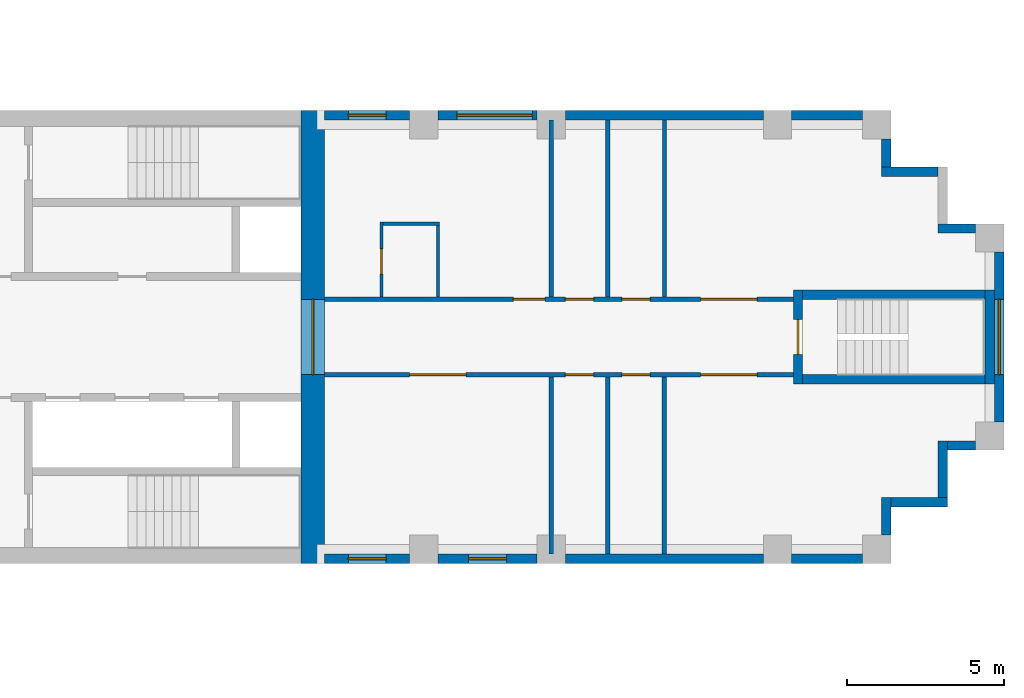
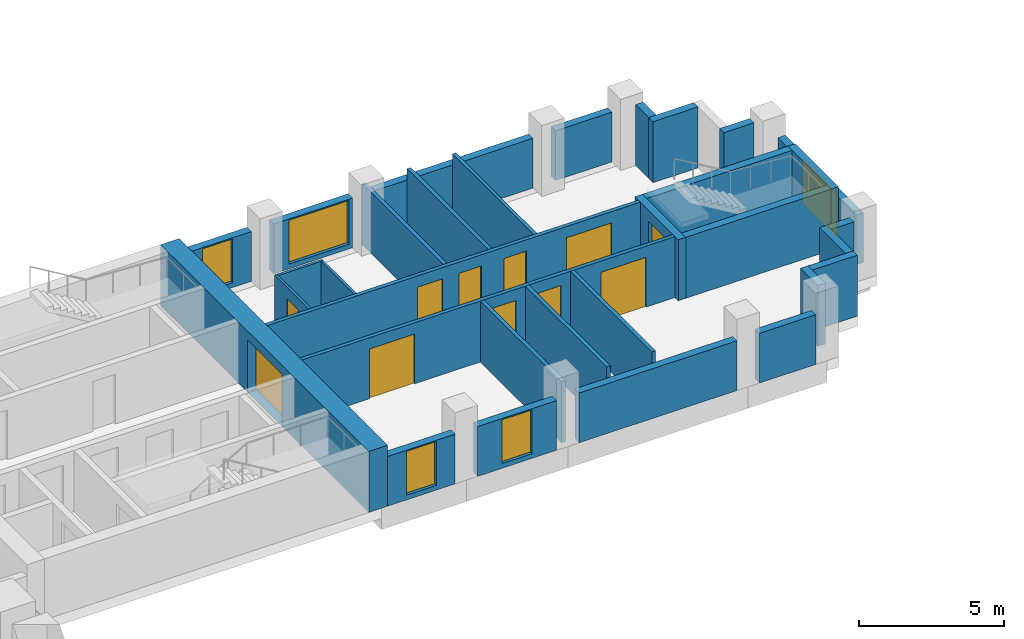
# One storey, part 9 of 15: 32 walls, 11 doors, 5 windows, 16 openings.
"""IFC4 building model written with IfcOpenShell, lengths in metres."""

from ifc_helpers import new_model, si_unit, direction, frame, frame_2d, origin, place, context, subcontext, project, spatial, rectangle, extrude, material, layer, layer_set, type_object, element, fill, save


model = new_model("IFC4")

# Units and contexts
model_context = context("Model", 3, precision=1e-05, world=origin(), true_north=direction((0.0, 1.0)))
body_context = subcontext(model_context, "Body", "Model", "MODEL_VIEW")
ifc_project = project(units=[si_unit("LENGTHUNIT", "METRE"), si_unit("AREAUNIT", "SQUARE_METRE"), si_unit("VOLUMEUNIT", "CUBIC_METRE"), si_unit("PLANEANGLEUNIT", "RADIAN"), si_unit("MASSUNIT", "GRAM", prefix="KILO")], contexts=[model_context])

# Site, building, storey
site_placement = place(None, origin())
site = spatial("IfcSite", under=ifc_project, at=site_placement, CompositionType="ELEMENT")
building_placement = place(site_placement, origin())
building = spatial("IfcBuilding", under=site, at=building_placement, Name="Fustian Cross Tower", CompositionType="ELEMENT")
storey_placement = place(building_placement, frame((0.0, 0.0, 11.699951171875)))
storey = spatial("IfcBuildingStorey", under=building, at=storey_placement, Name="L02", CompositionType="ELEMENT", Elevation=11.699951171875)

# Wall, openings, doors
ifc_material_1 = material(Name="Plasterboard on steel stud", Category="steel")
ifc_layer_1 = layer(ifc_material_1, 0.14990234375)
ifc_layer_set_1 = layer_set([ifc_layer_1], Name="Plasterboard on steel stud")
wall_type_1 = type_object("IfcWallType", Name="COMPARTMENT WALL 150 EI 60", PredefinedType="PARTITIONING", material=ifc_layer_set_1)
wall_1_placement = place(storey_placement, frame((21.60009765625, -1.199951171875, 0.0), z_axis=(0.0, 0.0, 1.0), x_axis=(1.0, 0.0, 0.0)))
wall_1 = element("IfcWall", 1, at=wall_1_placement, inside=storey, type_object=wall_type_1, Name="Partition 99", PredefinedType="PARTITIONING", context=body_context, shape_type="SweptSolid", body=[
    extrude(rectangle(XDim=14.89990234375, YDim=0.14990234375, at=frame_2d((7.449951171875, 0.0))), origin(), (0.0, 0.0, 1.0), 2.574951171875),
])
opening_1_placement = place(wall_1_placement, frame((2.699951171875, 0.0, 0.0)))
opening_1 = element("IfcOpeningElement", 2, at=opening_1_placement, cuts=wall_1, Name="Opening D04015", PredefinedType="OPENING", context=body_context, shape_type="SweptSolid", body=[
    extrude(rectangle(XDim=1.800048828125, YDim=2.10009765625, at=frame_2d((0.89990234375, 1.050048828125))), frame((0.0, 0.0849609375, 0.0), z_axis=(0.0, -1.0, 0.0), x_axis=(1.0, 0.0, 0.0)), (0.0, 0.0, 1.0), 0.169921875),
])
opening_2_placement = place(wall_1_placement, frame((7.64990234375, 0.0, 0.0)))
opening_2 = element("IfcOpeningElement", 3, at=opening_2_placement, cuts=wall_1, Name="Opening D04016", PredefinedType="OPENING", context=body_context, shape_type="SweptSolid", body=[
    extrude(rectangle(XDim=0.89990234375, YDim=2.10009765625, at=frame_2d((0.449951171875, 1.050048828125))), frame((0.0, 0.0849609375, 0.0), z_axis=(0.0, -1.0, 0.0), x_axis=(1.0, 0.0, 0.0)), (0.0, 0.0, 1.0), 0.169921875),
])
opening_3_placement = place(wall_1_placement, frame((9.449951171875, 0.0, 0.0)))
opening_3 = element("IfcOpeningElement", 4, at=opening_3_placement, cuts=wall_1, Name="Opening D04017", PredefinedType="OPENING", context=body_context, shape_type="SweptSolid", body=[
    extrude(rectangle(XDim=0.89990234375, YDim=2.10009765625, at=frame_2d((0.449951171875, 1.050048828125))), frame((0.0, 0.0849609375, 0.0), z_axis=(0.0, -1.0, 0.0), x_axis=(1.0, 0.0, 0.0)), (0.0, 0.0, 1.0), 0.169921875),
])
opening_4_placement = place(wall_1_placement, frame((11.949951171875, 0.0, 0.0)))
opening_4 = element("IfcOpeningElement", 5, at=opening_4_placement, cuts=wall_1, Name="Opening D04018", PredefinedType="OPENING", context=body_context, shape_type="SweptSolid", body=[
    extrude(rectangle(XDim=1.800048828125, YDim=2.10009765625, at=frame_2d((0.89990234375, 1.050048828125))), frame((0.0, 0.0849609375, 0.0), z_axis=(0.0, -1.0, 0.0), x_axis=(1.0, 0.0, 0.0)), (0.0, 0.0, 1.0), 0.169921875),
])
ifc_material_2 = material(Name="Timber fire door set", Category="wood")
door_type_1 = type_object("IfcDoorType", Name="FIRE DOUBLE DOOR 1800 FD30S", OperationType="DOUBLE_DOOR_DOUBLE_SWING", PredefinedType="DOOR", material=ifc_material_2)
door_1_placement = place(opening_1_placement, origin())
door_1 = element("IfcDoor", 6, at=door_1_placement, inside=storey, type_object=door_type_1, Name="Door D04015", OperationType="DOUBLE_DOOR_DOUBLE_SWING", OverallHeight=2.10009765625, OverallWidth=1.800048828125, PredefinedType="DOOR", context=body_context, shape_type="SweptSolid", body=[
    extrude(rectangle(XDim=1.800048828125, YDim=2.10009765625, at=frame_2d((0.89990234375, 1.050048828125))), frame((0.0, 0.02490234375, 0.0), z_axis=(0.0, -1.0, 0.0), x_axis=(1.0, 0.0, 0.0)), (0.0, 0.0, 1.0), 0.050048828125),
])
fill(opening_1, door_1)
door_2_placement = place(opening_4_placement, origin())
door_2 = element("IfcDoor", 7, at=door_2_placement, inside=storey, type_object=door_type_1, Name="Door D04018", OperationType="DOUBLE_DOOR_DOUBLE_SWING", OverallHeight=2.10009765625, OverallWidth=1.800048828125, PredefinedType="DOOR", context=body_context, shape_type="SweptSolid", body=[
    extrude(rectangle(XDim=1.800048828125, YDim=2.10009765625, at=frame_2d((0.89990234375, 1.050048828125))), frame((0.0, 0.02490234375, 0.0), z_axis=(0.0, -1.0, 0.0), x_axis=(1.0, 0.0, 0.0)), (0.0, 0.0, 1.0), 0.050048828125),
])
fill(opening_4, door_2)
ifc_material_3 = material(Name="Timber fire door set", Category="wood")
door_type_2 = type_object("IfcDoorType", Name="FIRE SWING DOOR 900 FD30S", OperationType="SINGLE_SWING_LEFT", PredefinedType="DOOR", material=ifc_material_3)
door_3_placement = place(opening_2_placement, frame((0.89990234375, 0.0, 0.0), z_axis=(0.0, 0.0, 1.0), x_axis=(-1.0, 0.0, 0.0)))
door_3 = element("IfcDoor", 8, at=door_3_placement, inside=storey, type_object=door_type_2, Name="Door D04016", OperationType="SINGLE_SWING_LEFT", OverallHeight=2.10009765625, OverallWidth=0.89990234375, PredefinedType="DOOR", context=body_context, shape_type="SweptSolid", body=[
    extrude(rectangle(XDim=0.89990234375, YDim=2.10009765625, at=frame_2d((0.449951171875, 1.050048828125))), frame((0.0, 0.02490234375, 0.0), z_axis=(0.0, -1.0, 0.0), x_axis=(1.0, 0.0, 0.0)), (0.0, 0.0, 1.0), 0.050048828125),
])
fill(opening_2, door_3)
door_4_placement = place(opening_3_placement, origin())
door_4 = element("IfcDoor", 9, at=door_4_placement, inside=storey, type_object=door_type_2, Name="Door D04017", OperationType="SINGLE_SWING_RIGHT", OverallHeight=2.10009765625, OverallWidth=0.89990234375, PredefinedType="DOOR", context=body_context, shape_type="SweptSolid", body=[
    extrude(rectangle(XDim=0.89990234375, YDim=2.10009765625, at=frame_2d((0.449951171875, 1.050048828125))), frame((0.0, 0.02490234375, 0.0), z_axis=(0.0, -1.0, 0.0), x_axis=(1.0, 0.0, 0.0)), (0.0, 0.0, 1.0), 0.050048828125),
])
fill(opening_3, door_4)

wall_2_placement = place(storey_placement, frame((21.60009765625, 1.199951171875, 0.0), z_axis=(0.0, 0.0, 1.0), x_axis=(1.0, 0.0, 0.0)))
wall_2 = element("IfcWall", 10, at=wall_2_placement, inside=storey, type_object=wall_type_1, Name="Partition 100", PredefinedType="PARTITIONING", context=body_context, shape_type="SweptSolid", body=[
    extrude(rectangle(XDim=14.89990234375, YDim=0.14990234375, at=frame_2d((7.449951171875, 0.0))), origin(), (0.0, 0.0, 1.0), 2.574951171875),
])
opening_5_placement = place(wall_2_placement, frame((6.0, 0.0, 0.0)))
opening_5 = element("IfcOpeningElement", 11, at=opening_5_placement, cuts=wall_2, Name="Opening D04011", PredefinedType="OPENING", context=body_context, shape_type="SweptSolid", body=[
    extrude(rectangle(XDim=1.0, YDim=2.10009765625, at=frame_2d((0.5, 1.050048828125))), frame((0.0, 0.0849609375, 0.0), z_axis=(0.0, -1.0, 0.0), x_axis=(1.0, 0.0, 0.0)), (0.0, 0.0, 1.0), 0.169921875),
])
opening_6_placement = place(wall_2_placement, frame((7.64990234375, 0.0, 0.0)))
opening_6 = element("IfcOpeningElement", 12, at=opening_6_placement, cuts=wall_2, Name="Opening D04012", PredefinedType="OPENING", context=body_context, shape_type="SweptSolid", body=[
    extrude(rectangle(XDim=0.89990234375, YDim=2.10009765625, at=frame_2d((0.449951171875, 1.050048828125))), frame((0.0, 0.0849609375, 0.0), z_axis=(0.0, -1.0, 0.0), x_axis=(1.0, 0.0, 0.0)), (0.0, 0.0, 1.0), 0.169921875),
])
opening_7_placement = place(wall_2_placement, frame((9.449951171875, 0.0, 0.0)))
opening_7 = element("IfcOpeningElement", 13, at=opening_7_placement, cuts=wall_2, Name="Opening D04013", PredefinedType="OPENING", context=body_context, shape_type="SweptSolid", body=[
    extrude(rectangle(XDim=0.89990234375, YDim=2.10009765625, at=frame_2d((0.449951171875, 1.050048828125))), frame((0.0, 0.0849609375, 0.0), z_axis=(0.0, -1.0, 0.0), x_axis=(1.0, 0.0, 0.0)), (0.0, 0.0, 1.0), 0.169921875),
])
opening_8_placement = place(wall_2_placement, frame((11.949951171875, 0.0, 0.0)))
opening_8 = element("IfcOpeningElement", 14, at=opening_8_placement, cuts=wall_2, Name="Opening D04014", PredefinedType="OPENING", context=body_context, shape_type="SweptSolid", body=[
    extrude(rectangle(XDim=1.800048828125, YDim=2.10009765625, at=frame_2d((0.89990234375, 1.050048828125))), frame((0.0, 0.0849609375, 0.0), z_axis=(0.0, -1.0, 0.0), x_axis=(1.0, 0.0, 0.0)), (0.0, 0.0, 1.0), 0.169921875),
])
door_5_placement = place(opening_8_placement, frame((1.800048828125, 0.0, 0.0), z_axis=(0.0, 0.0, 1.0), x_axis=(-1.0, 0.0, 0.0)))
door_5 = element("IfcDoor", 15, at=door_5_placement, inside=storey, type_object=door_type_1, Name="Door D04014", OperationType="DOUBLE_DOOR_DOUBLE_SWING", OverallHeight=2.10009765625, OverallWidth=1.800048828125, PredefinedType="DOOR", context=body_context, shape_type="SweptSolid", body=[
    extrude(rectangle(XDim=1.800048828125, YDim=2.10009765625, at=frame_2d((0.89990234375, 1.050048828125))), frame((0.0, 0.02490234375, 0.0), z_axis=(0.0, -1.0, 0.0), x_axis=(1.0, 0.0, 0.0)), (0.0, 0.0, 1.0), 0.050048828125),
])
fill(opening_8, door_5)
ifc_material_4 = material(Name="Timber fire door set", Category="wood")
door_type_3 = type_object("IfcDoorType", Name="FIRE SWING DOOR 1000 FD30S", OperationType="SINGLE_SWING_LEFT", PredefinedType="DOOR", material=ifc_material_4)
door_6_placement = place(opening_5_placement, origin())
door_6 = element("IfcDoor", 16, at=door_6_placement, inside=storey, type_object=door_type_3, Name="Door D04011", OperationType="SINGLE_SWING_RIGHT", OverallHeight=2.10009765625, OverallWidth=1.0, PredefinedType="DOOR", context=body_context, shape_type="SweptSolid", body=[
    extrude(rectangle(XDim=1.0, YDim=2.10009765625, at=frame_2d((0.5, 1.050048828125))), frame((0.0, 0.02490234375, 0.0), z_axis=(0.0, -1.0, 0.0), x_axis=(1.0, 0.0, 0.0)), (0.0, 0.0, 1.0), 0.050048828125),
])
fill(opening_5, door_6)
door_7_placement = place(opening_6_placement, origin())
door_7 = element("IfcDoor", 17, at=door_7_placement, inside=storey, type_object=door_type_2, Name="Door D04012", OperationType="SINGLE_SWING_RIGHT", OverallHeight=2.10009765625, OverallWidth=0.89990234375, PredefinedType="DOOR", context=body_context, shape_type="SweptSolid", body=[
    extrude(rectangle(XDim=0.89990234375, YDim=2.10009765625, at=frame_2d((0.449951171875, 1.050048828125))), frame((0.0, 0.02490234375, 0.0), z_axis=(0.0, -1.0, 0.0), x_axis=(1.0, 0.0, 0.0)), (0.0, 0.0, 1.0), 0.050048828125),
])
fill(opening_6, door_7)
door_8_placement = place(opening_7_placement, origin())
door_8 = element("IfcDoor", 18, at=door_8_placement, inside=storey, type_object=door_type_2, Name="Door D04013", OperationType="SINGLE_SWING_RIGHT", OverallHeight=2.10009765625, OverallWidth=0.89990234375, PredefinedType="DOOR", context=body_context, shape_type="SweptSolid", body=[
    extrude(rectangle(XDim=0.89990234375, YDim=2.10009765625, at=frame_2d((0.449951171875, 1.050048828125))), frame((0.0, 0.02490234375, 0.0), z_axis=(0.0, -1.0, 0.0), x_axis=(1.0, 0.0, 0.0)), (0.0, 0.0, 1.0), 0.050048828125),
])
fill(opening_7, door_8)

# Walls
for number, where, z_axis, x_axis, name in (
    (19, (28.800048828125, -6.89990234375, 0.0), (0.0, 0.0, 1.0), (0.0, 1.0, 0.0), "Partition 104"),
    (20, (28.800048828125, 1.27490234375, 0.0), (0.0, 0.0, 1.0), (0.0, 1.0, 0.0), "Partition 105"),
    (21, (30.60009765625, -6.89990234375, 0.0), (0.0, 0.0, 1.0), (0.0, 1.0, 0.0), "Partition 106"),
    (22, (30.60009765625, 1.27490234375, 0.0), (0.0, 0.0, 1.0), (0.0, 1.0, 0.0), "Partition 107"),
    (23, (32.39990234375, -6.89990234375, 0.0), (0.0, 0.0, 1.0), (0.0, 1.0, 0.0), "Partition 108"),
):
    element("IfcWall", number, at=place(storey_placement, frame(where, z_axis=z_axis, x_axis=x_axis)), inside=storey, type_object=wall_type_1, Name=name, PredefinedType="PARTITIONING", context=body_context, shape_type="SweptSolid", body=[
        extrude(rectangle(XDim=5.625, YDim=0.14990234375, at=frame_2d((2.8125, 0.0))), origin(), (0.0, 0.0, 1.0), 2.574951171875),
    ])

# Wall, opening, door
ifc_material_5 = material(Name="Concrete C80/95", Category="concrete")
ifc_layer_2 = layer(ifc_material_5, 0.75)
ifc_layer_set_2 = layer_set([ifc_layer_2], Name="Concrete C80/95")
wall_type_2 = type_object("IfcWallType", Name="CORE END WALL 750 C80/95", PredefinedType="SHEAR", material=ifc_layer_set_2)
wall_3_placement = place(storey_placement, frame((21.22509765625, -7.199951171875, 0.0), z_axis=(0.0, 0.0, 1.0), x_axis=(0.0, 1.0, 0.0)))
wall_3 = element("IfcWall", 24, at=wall_3_placement, inside=storey, type_object=wall_type_2, Name="Core end wall", PredefinedType="SHEAR", context=body_context, shape_type="SweptSolid", body=[
    extrude(rectangle(XDim=14.39990234375, YDim=0.75, at=frame_2d((7.199951171875, 0.0))), origin(), (0.0, 0.0, 1.0), 2.574951171875),
])
opening_9_placement = place(wall_3_placement, frame((6.0, 0.0, 0.0)))
opening_9 = element("IfcOpeningElement", 25, at=opening_9_placement, cuts=wall_3, Name="Opening CD-04-13", PredefinedType="OPENING", context=body_context, shape_type="SweptSolid", body=[
    extrude(rectangle(XDim=2.39990234375, YDim=2.199951171875, at=frame_2d((1.199951171875, 1.10009765625))), frame((0.0, 0.385009765625, 0.0), z_axis=(0.0, -1.0, 0.0), x_axis=(1.0, 0.0, 0.0)), (0.0, 0.0, 1.0), 0.77001953125),
])
ifc_material_6 = material(Name="Steel", Category="steel")
door_type_4 = type_object("IfcDoorType", Name="FIRE DOOR FD30S DOUBLE 2400X2200", OperationType="DOUBLE_DOOR_DOUBLE_SWING", PredefinedType="DOOR", material=ifc_material_6)
door_9_placement = place(opening_9_placement, origin())
door_9 = element("IfcDoor", 26, at=door_9_placement, inside=storey, type_object=door_type_4, Name="Core door CD-04-13", OperationType="DOUBLE_DOOR_DOUBLE_SWING", OverallHeight=2.199951171875, OverallWidth=2.39990234375, PredefinedType="DOOR", context=body_context, shape_type="SweptSolid", body=[
    extrude(rectangle(XDim=2.39990234375, YDim=2.199951171875, at=frame_2d((1.199951171875, 1.10009765625))), frame((0.0, 0.02490234375, 0.0), z_axis=(0.0, -1.0, 0.0), x_axis=(1.0, 0.0, 0.0)), (0.0, 0.0, 1.0), 0.050048828125),
])
fill(opening_9, door_9)

ifc_material_7 = material(Name="Plasterboard on steel stud", Category="steel")
ifc_layer_3 = layer(ifc_material_7, 0.10009765625)
ifc_layer_set_3 = layer_set([ifc_layer_3], Name="Plasterboard on steel stud")
wall_type_3 = type_object("IfcWallType", Name="PARTITION 100 STUD", PredefinedType="PARTITIONING", material=ifc_layer_set_3)
wall_4_placement = place(storey_placement, frame((23.39990234375, 1.27490234375, 0.0), z_axis=(0.0, 0.0, 1.0), x_axis=(0.0, 1.0, 0.0)))
wall_4 = element("IfcWall", 27, at=wall_4_placement, inside=storey, type_object=wall_type_3, Name="Partition 101", PredefinedType="PARTITIONING", context=body_context, shape_type="SweptSolid", body=[
    extrude(rectangle(XDim=2.375, YDim=0.10009765625, at=frame_2d((1.1875, 0.0))), origin(), (0.0, 0.0, 1.0), 2.574951171875),
])
opening_10_placement = place(wall_4_placement, frame((0.72509765625, 0.0, 0.0)))
opening_10 = element("IfcOpeningElement", 28, at=opening_10_placement, cuts=wall_4, Name="Opening D04010", PredefinedType="OPENING", context=body_context, shape_type="SweptSolid", body=[
    extrude(rectangle(XDim=0.800048828125, YDim=2.10009765625, at=frame_2d((0.39990234375, 1.050048828125))), frame((0.0, 0.06005859375, 0.0), z_axis=(0.0, -1.0, 0.0), x_axis=(1.0, 0.0, 0.0)), (0.0, 0.0, 1.0), 0.1201171875),
])
ifc_material_8 = material(Name="Painted timber", Category="wood")
door_type_5 = type_object("IfcDoorType", Name="SWING DOOR 800", OperationType="SINGLE_SWING_LEFT", PredefinedType="DOOR", material=ifc_material_8)
door_10_placement = place(opening_10_placement, frame((0.800048828125, 0.0, 0.0), z_axis=(0.0, 0.0, 1.0), x_axis=(-1.0, 0.0, 0.0)))
door_10 = element("IfcDoor", 29, at=door_10_placement, inside=storey, type_object=door_type_5, Name="Door D04010", OperationType="SINGLE_SWING_RIGHT", OverallHeight=2.10009765625, OverallWidth=0.800048828125, PredefinedType="DOOR", context=body_context, shape_type="SweptSolid", body=[
    extrude(rectangle(XDim=0.800048828125, YDim=2.10009765625, at=frame_2d((0.39990234375, 1.050048828125))), frame((0.0, 0.02490234375, 0.0), z_axis=(0.0, -1.0, 0.0), x_axis=(1.0, 0.0, 0.0)), (0.0, 0.0, 1.0), 0.050048828125),
])
fill(opening_10, door_10)

# Walls
wall_5_placement = place(storey_placement, frame((23.449951171875, 3.60009765625, 0.0), z_axis=(0.0, 0.0, 1.0), x_axis=(1.0, 0.0, 0.0)))
element("IfcWall", 30, at=wall_5_placement, inside=storey, type_object=wall_type_3, Name="Partition 102", PredefinedType="PARTITIONING", context=body_context, shape_type="SweptSolid", body=[
    extrude(rectangle(XDim=1.800048828125, YDim=0.10009765625, at=frame_2d((0.89990234375, 0.0))), origin(), (0.0, 0.0, 1.0), 2.574951171875),
])
wall_6_placement = place(storey_placement, frame((25.199951171875, 1.27490234375, 0.0), z_axis=(0.0, 0.0, 1.0), x_axis=(0.0, 1.0, 0.0)))
element("IfcWall", 31, at=wall_6_placement, inside=storey, type_object=wall_type_3, Name="Partition 103", PredefinedType="PARTITIONING", context=body_context, shape_type="SweptSolid", body=[
    extrude(rectangle(XDim=2.275146484375, YDim=0.10009765625, at=frame_2d((1.1376953125, 0.0))), origin(), (0.0, 0.0, 1.0), 2.574951171875),
])

# Wall, opening, door
ifc_material_9 = material(Name="Concrete C50/60", Category="concrete")
ifc_layer_4 = layer(ifc_material_9, 0.300048828125)
ifc_layer_set_4 = layer_set([ifc_layer_4], Name="Concrete C50/60")
wall_type_4 = type_object("IfcWallType", Name="STAIR ENCLOSURE WALL 300 C50/60", PredefinedType="SHEAR", material=ifc_layer_set_4)
wall_7_placement = place(storey_placement, frame((36.64990234375, -1.5, 0.0), z_axis=(0.0, 0.0, 1.0), x_axis=(0.0, 1.0, 0.0)))
wall_7 = element("IfcWall", 32, at=wall_7_placement, inside=storey, type_object=wall_type_4, Name="Stair enclosure wall", PredefinedType="SHEAR", context=body_context, shape_type="SweptSolid", body=[
    extrude(rectangle(XDim=3.0, YDim=0.300048828125, at=frame_2d((1.5, 0.0))), origin(), (0.0, 0.0, 1.0), 2.574951171875),
])
opening_11_placement = place(wall_7_placement, frame((0.949951171875, 0.0, 0.0)))
opening_11 = element("IfcOpeningElement", 33, at=opening_11_placement, cuts=wall_7, Name="Opening CD-04-31", PredefinedType="OPENING", context=body_context, shape_type="SweptSolid", body=[
    extrude(rectangle(XDim=1.10009765625, YDim=2.10009765625, at=frame_2d((0.550048828125, 1.050048828125))), frame((0.0, 0.159912109375, 0.0), z_axis=(0.0, -1.0, 0.0), x_axis=(1.0, 0.0, 0.0)), (0.0, 0.0, 1.0), 0.320068359375),
])
ifc_material_10 = material(Name="Steel", Category="steel")
door_type_6 = type_object("IfcDoorType", Name="FIRE DOOR FD60S 1100X2100", OperationType="SINGLE_SWING_LEFT", PredefinedType="DOOR", material=ifc_material_10)
door_11_placement = place(opening_11_placement, frame((1.10009765625, 0.0, 0.0), z_axis=(0.0, 0.0, 1.0), x_axis=(-1.0, 0.0, 0.0)))
door_11 = element("IfcDoor", 34, at=door_11_placement, inside=storey, type_object=door_type_6, Name="Core door CD-04-31", OperationType="SINGLE_SWING_RIGHT", OverallHeight=2.10009765625, OverallWidth=1.10009765625, PredefinedType="DOOR", context=body_context, shape_type="SweptSolid", body=[
    extrude(rectangle(XDim=1.10009765625, YDim=2.10009765625, at=frame_2d((0.550048828125, 1.050048828125))), frame((0.0, 0.02490234375, 0.0), z_axis=(0.0, -1.0, 0.0), x_axis=(1.0, 0.0, 0.0)), (0.0, 0.0, 1.0), 0.050048828125),
])
fill(opening_11, door_11)

# Walls
wall_8_placement = place(storey_placement, frame((42.75, -1.5, 0.0), z_axis=(0.0, 0.0, 1.0), x_axis=(0.0, 1.0, 0.0)))
element("IfcWall", 35, at=wall_8_placement, inside=storey, type_object=wall_type_4, Name="Stair enclosure wall", PredefinedType="SHEAR", context=body_context, shape_type="SweptSolid", body=[
    extrude(rectangle(XDim=3.0, YDim=0.300048828125, at=frame_2d((1.5, 0.0))), origin(), (0.0, 0.0, 1.0), 2.574951171875),
])
for number, where, z_axis, x_axis, name in (
    (36, (36.800048828125, -1.35009765625, 0.0), (0.0, 0.0, 1.0), (1.0, 0.0, 0.0), "Stair enclosure wall"),
    (37, (36.800048828125, 1.35009765625, 0.0), (0.0, 0.0, 1.0), (1.0, 0.0, 0.0), "Stair enclosure wall"),
):
    element("IfcWall", number, at=place(storey_placement, frame(where, z_axis=z_axis, x_axis=x_axis)), inside=storey, type_object=wall_type_4, Name=name, PredefinedType="SHEAR", context=body_context, shape_type="SweptSolid", body=[
        extrude(rectangle(XDim=5.800048828125, YDim=0.300048828125, at=frame_2d((2.89990234375, 0.0))), origin(), (0.0, 0.0, 1.0), 2.574951171875),
    ])
ifc_material_11 = material(Name="Plasterboard on steel stud", Category="steel")
ifc_layer_5 = layer(ifc_material_11, 0.125)
ifc_layer_set_5 = layer_set([ifc_layer_5], Name="Plasterboard on steel stud")
wall_type_5 = type_object("IfcWallType", Name="WET WALL 125 STUD", PredefinedType="PARTITIONING", material=ifc_layer_set_5)
wall_9_placement = place(storey_placement, frame((32.39990234375, 1.27490234375, 0.0), z_axis=(0.0, 0.0, 1.0), x_axis=(0.0, 1.0, 0.0)))
element("IfcWall", 38, at=wall_9_placement, inside=storey, type_object=wall_type_5, Name="Partition 109", PredefinedType="PARTITIONING", context=body_context, shape_type="SweptSolid", body=[
    extrude(rectangle(XDim=5.625, YDim=0.125, at=frame_2d((2.8125, 0.0))), origin(), (0.0, 0.0, 1.0), 2.574951171875),
])

# Wall, opening, window
ifc_material_12 = material(Name="Dark aluminium cladding on insulated backing wall", Category="aluminium")
ifc_layer_6 = layer(ifc_material_12, 0.300048828125)
ifc_layer_set_6 = layer_set([ifc_layer_6], Name="Dark aluminium cladding on insulated backing wall")
wall_type_6 = type_object("IfcWallType", Name="XW1 EXTERNAL WALL 300", PredefinedType="SOLIDWALL", material=ifc_layer_set_6)
wall_10_placement = place(storey_placement, frame((21.60009765625, -7.050048828125, 0.0), z_axis=(0.0, 0.0, 1.0), x_axis=(1.0, 0.0, 0.0)))
wall_10 = element("IfcWall", 39, at=wall_10_placement, inside=storey, type_object=wall_type_6, Name="External wall", PredefinedType="SOLIDWALL", context=body_context, shape_type="SweptSolid", body=[
    extrude(rectangle(XDim=2.699951171875, YDim=0.300048828125, at=frame_2d((1.35009765625, 0.0))), origin(), (0.0, 0.0, 1.0), 2.10009765625),
])
opening_12_placement = place(wall_10_placement, frame((0.75, 0.0, 0.199951171875)))
opening_12 = element("IfcOpeningElement", 40, at=opening_12_placement, cuts=wall_10, Name="Opening WN3", PredefinedType="OPENING", context=body_context, shape_type="SweptSolid", body=[
    extrude(rectangle(XDim=1.199951171875, YDim=1.85009765625, at=frame_2d((0.60009765625, 0.925048828125))), frame((0.0, 0.159912109375, 0.0), z_axis=(0.0, -1.0, 0.0), x_axis=(1.0, 0.0, 0.0)), (0.0, 0.0, 1.0), 0.320068359375),
])
ifc_material_13 = material(Name="Dark anodised aluminium and double glazing", Category="aluminium")
window_type_1 = type_object("IfcWindowType", Name="WN3 WINDOW 1200X1850", PartitioningType="SINGLE_PANEL", PredefinedType="WINDOW", material=ifc_material_13)
window_1_placement = place(opening_12_placement, origin())
window_1 = element("IfcWindow", 41, at=window_1_placement, inside=storey, type_object=window_type_1, Name="Window", OverallHeight=1.85009765625, OverallWidth=1.199951171875, PartitioningType="SINGLE_PANEL", PredefinedType="WINDOW", context=body_context, shape_type="SweptSolid", body=[
    extrude(rectangle(XDim=1.199951171875, YDim=1.85009765625, at=frame_2d((0.60009765625, 0.925048828125))), frame((0.0, 0.030029296875, 0.0), z_axis=(0.0, -1.0, 0.0), x_axis=(1.0, 0.0, 0.0)), (0.0, 0.0, 1.0), 0.06005859375),
])
fill(opening_12, window_1)

wall_11_placement = place(storey_placement, frame((25.199951171875, -7.050048828125, 0.0), z_axis=(0.0, 0.0, 1.0), x_axis=(1.0, 0.0, 0.0)))
wall_11 = element("IfcWall", 42, at=wall_11_placement, inside=storey, type_object=wall_type_6, Name="External wall", PredefinedType="SOLIDWALL", context=body_context, shape_type="SweptSolid", body=[
    extrude(rectangle(XDim=3.150146484375, YDim=0.300048828125, at=frame_2d((1.5751953125, 0.0))), origin(), (0.0, 0.0, 1.0), 2.10009765625),
])
opening_13_placement = place(wall_11_placement, frame((0.97509765625, 0.0, 0.199951171875)))
opening_13 = element("IfcOpeningElement", 43, at=opening_13_placement, cuts=wall_11, Name="Opening WN3", PredefinedType="OPENING", context=body_context, shape_type="SweptSolid", body=[
    extrude(rectangle(XDim=1.199951171875, YDim=1.85009765625, at=frame_2d((0.60009765625, 0.925048828125))), frame((0.0, 0.159912109375, 0.0), z_axis=(0.0, -1.0, 0.0), x_axis=(1.0, 0.0, 0.0)), (0.0, 0.0, 1.0), 0.320068359375),
])
window_2_placement = place(opening_13_placement, origin())
window_2 = element("IfcWindow", 44, at=window_2_placement, inside=storey, type_object=window_type_1, Name="Window", OverallHeight=1.85009765625, OverallWidth=1.199951171875, PartitioningType="SINGLE_PANEL", PredefinedType="WINDOW", context=body_context, shape_type="SweptSolid", body=[
    extrude(rectangle(XDim=1.199951171875, YDim=1.85009765625, at=frame_2d((0.60009765625, 0.925048828125))), frame((0.0, 0.030029296875, 0.0), z_axis=(0.0, -1.0, 0.0), x_axis=(1.0, 0.0, 0.0)), (0.0, 0.0, 1.0), 0.06005859375),
])
fill(opening_13, window_2)

# Walls
wall_12_placement = place(storey_placement, frame((29.25, -7.050048828125, 0.0), z_axis=(0.0, 0.0, 1.0), x_axis=(1.0, 0.0, 0.0)))
element("IfcWall", 45, at=wall_12_placement, inside=storey, type_object=wall_type_6, Name="External wall", PredefinedType="SOLIDWALL", context=body_context, shape_type="SweptSolid", body=[
    extrude(rectangle(XDim=6.300048828125, YDim=0.300048828125, at=frame_2d((3.14990234375, 0.0))), origin(), (0.0, 0.0, 1.0), 2.10009765625),
])
wall_13_placement = place(storey_placement, frame((36.449951171875, -7.050048828125, 0.0), z_axis=(0.0, 0.0, 1.0), x_axis=(1.0, 0.0, 0.0)))
element("IfcWall", 46, at=wall_13_placement, inside=storey, type_object=wall_type_6, Name="External wall", PredefinedType="SOLIDWALL", context=body_context, shape_type="SweptSolid", body=[
    extrude(rectangle(XDim=2.25, YDim=0.300048828125, at=frame_2d((1.125, 0.0))), origin(), (0.0, 0.0, 1.0), 2.10009765625),
])
wall_14_placement = place(storey_placement, frame((39.449951171875, -6.300048828125, 0.0), z_axis=(0.0, 0.0, 1.0), x_axis=(0.0, 1.0, 0.0)))
element("IfcWall", 47, at=wall_14_placement, inside=storey, type_object=wall_type_6, Name="External wall", PredefinedType="SOLIDWALL", context=body_context, shape_type="SweptSolid", body=[
    extrude(rectangle(XDim=1.199951171875, YDim=0.300048828125, at=frame_2d((0.60009765625, 0.0))), origin(), (0.0, 0.0, 1.0), 2.574951171875),
])
wall_15_placement = place(storey_placement, frame((39.60009765625, -5.25, 0.0), z_axis=(0.0, 0.0, 1.0), x_axis=(1.0, 0.0, 0.0)))
element("IfcWall", 48, at=wall_15_placement, inside=storey, type_object=wall_type_6, Name="External wall", PredefinedType="SOLIDWALL", context=body_context, shape_type="SweptSolid", body=[
    extrude(rectangle(XDim=1.7998046875, YDim=0.300048828125, at=frame_2d((0.89990234375, 0.0))), origin(), (0.0, 0.0, 1.0), 2.574951171875),
])
wall_16_placement = place(storey_placement, frame((41.25, -5.10009765625, 0.0), z_axis=(0.0, 0.0, 1.0), x_axis=(0.0, 1.0, 0.0)))
element("IfcWall", 49, at=wall_16_placement, inside=storey, type_object=wall_type_6, Name="External wall", PredefinedType="SOLIDWALL", context=body_context, shape_type="SweptSolid", body=[
    extrude(rectangle(XDim=1.800048828125, YDim=0.300048828125, at=frame_2d((0.89990234375, 0.0))), origin(), (0.0, 0.0, 1.0), 2.574951171875),
])
wall_17_placement = place(storey_placement, frame((41.39990234375, -3.449951171875, 0.0), z_axis=(0.0, 0.0, 1.0), x_axis=(1.0, 0.0, 0.0)))
element("IfcWall", 50, at=wall_17_placement, inside=storey, type_object=wall_type_6, Name="External wall", PredefinedType="SOLIDWALL", context=body_context, shape_type="SweptSolid", body=[
    extrude(rectangle(XDim=0.900146484375, YDim=0.300048828125, at=frame_2d((0.4501953125, 0.0))), origin(), (0.0, 0.0, 1.0), 2.574951171875),
])

# Wall, opening, window
wall_18_placement = place(storey_placement, frame((43.050048828125, -2.699951171875, 0.0), z_axis=(0.0, 0.0, 1.0), x_axis=(0.0, 1.0, 0.0)))
wall_18 = element("IfcWall", 51, at=wall_18_placement, inside=storey, type_object=wall_type_6, Name="External wall", PredefinedType="SOLIDWALL", context=body_context, shape_type="SweptSolid", body=[
    extrude(rectangle(XDim=5.39990234375, YDim=0.300048828125, at=frame_2d((2.699951171875, 0.0))), origin(), (0.0, 0.0, 1.0), 2.10009765625),
])
opening_14_placement = place(wall_18_placement, frame((1.5, 0.0, 0.199951171875)))
opening_14 = element("IfcOpeningElement", 52, at=opening_14_placement, cuts=wall_18, Name="Opening WN1", PredefinedType="OPENING", context=body_context, shape_type="SweptSolid", body=[
    extrude(rectangle(XDim=2.39990234375, YDim=1.85009765625, at=frame_2d((1.199951171875, 0.925048828125))), frame((0.0, 0.159912109375, 0.0), z_axis=(0.0, -1.0, 0.0), x_axis=(1.0, 0.0, 0.0)), (0.0, 0.0, 1.0), 0.320068359375),
])
ifc_material_14 = material(Name="Dark anodised aluminium and double glazing", Category="aluminium")
window_type_2 = type_object("IfcWindowType", Name="WN1 WINDOW 2400X1850", PartitioningType="SINGLE_PANEL", PredefinedType="WINDOW", material=ifc_material_14)
window_3_placement = place(opening_14_placement, origin())
window_3 = element("IfcWindow", 53, at=window_3_placement, inside=storey, type_object=window_type_2, Name="Window", OverallHeight=1.85009765625, OverallWidth=2.39990234375, PartitioningType="SINGLE_PANEL", PredefinedType="WINDOW", context=body_context, shape_type="SweptSolid", body=[
    extrude(rectangle(XDim=2.39990234375, YDim=1.85009765625, at=frame_2d((1.199951171875, 0.925048828125))), frame((0.0, 0.030029296875, 0.0), z_axis=(0.0, -1.0, 0.0), x_axis=(1.0, 0.0, 0.0)), (0.0, 0.0, 1.0), 0.06005859375),
])
fill(opening_14, window_3)

# Walls
wall_19_placement = place(storey_placement, frame((42.300048828125, 3.449951171875, 0.0), z_axis=(0.0, 0.0, 1.0), x_axis=(-1.0, 0.0, 0.0)))
element("IfcWall", 54, at=wall_19_placement, inside=storey, type_object=wall_type_6, Name="External wall", PredefinedType="SOLIDWALL", context=body_context, shape_type="SweptSolid", body=[
    extrude(rectangle(XDim=1.199951171875, YDim=0.300048828125, at=frame_2d((0.60009765625, 0.0))), origin(), (0.0, 0.0, 1.0), 2.574951171875),
])
wall_20_placement = place(storey_placement, frame((41.10009765625, 5.25, 0.0), z_axis=(0.0, 0.0, 1.0), x_axis=(-1.0, 0.0, 0.0)))
element("IfcWall", 55, at=wall_20_placement, inside=storey, type_object=wall_type_6, Name="External wall", PredefinedType="SOLIDWALL", context=body_context, shape_type="SweptSolid", body=[
    extrude(rectangle(XDim=1.800048828125, YDim=0.300048828125, at=frame_2d((0.89990234375, 0.0))), origin(), (0.0, 0.0, 1.0), 2.574951171875),
])
wall_21_placement = place(storey_placement, frame((39.449951171875, 5.39990234375, 0.0), z_axis=(0.0, 0.0, 1.0), x_axis=(0.0, 1.0, 0.0)))
element("IfcWall", 56, at=wall_21_placement, inside=storey, type_object=wall_type_6, Name="External wall", PredefinedType="SOLIDWALL", context=body_context, shape_type="SweptSolid", body=[
    extrude(rectangle(XDim=0.900146484375, YDim=0.300048828125, at=frame_2d((0.4501953125, 0.0))), origin(), (0.0, 0.0, 1.0), 2.574951171875),
])
wall_22_placement = place(storey_placement, frame((38.699951171875, 7.050048828125, 0.0), z_axis=(0.0, 0.0, 1.0), x_axis=(-1.0, 0.0, 0.0)))
element("IfcWall", 57, at=wall_22_placement, inside=storey, type_object=wall_type_6, Name="External wall", PredefinedType="SOLIDWALL", context=body_context, shape_type="SweptSolid", body=[
    extrude(rectangle(XDim=2.25, YDim=0.300048828125, at=frame_2d((1.125, 0.0))), origin(), (0.0, 0.0, 1.0), 2.10009765625),
])
wall_23_placement = place(storey_placement, frame((35.550048828125, 7.050048828125, 0.0), z_axis=(0.0, 0.0, 1.0), x_axis=(-1.0, 0.0, 0.0)))
element("IfcWall", 58, at=wall_23_placement, inside=storey, type_object=wall_type_6, Name="External wall", PredefinedType="SOLIDWALL", context=body_context, shape_type="SweptSolid", body=[
    extrude(rectangle(XDim=6.300048828125, YDim=0.300048828125, at=frame_2d((3.14990234375, 0.0))), origin(), (0.0, 0.0, 1.0), 2.10009765625),
])

# Wall, opening, window
wall_24_placement = place(storey_placement, frame((28.35009765625, 7.050048828125, 0.0), z_axis=(0.0, 0.0, 1.0), x_axis=(-1.0, 0.0, 0.0)))
wall_24 = element("IfcWall", 59, at=wall_24_placement, inside=storey, type_object=wall_type_6, Name="External wall", PredefinedType="SOLIDWALL", context=body_context, shape_type="SweptSolid", body=[
    extrude(rectangle(XDim=3.150146484375, YDim=0.300048828125, at=frame_2d((1.5751953125, 0.0))), origin(), (0.0, 0.0, 1.0), 2.10009765625),
])
opening_15_placement = place(wall_24_placement, frame((0.14990234375, 0.0, 0.199951171875)))
opening_15 = element("IfcOpeningElement", 60, at=opening_15_placement, cuts=wall_24, Name="Opening WN1", PredefinedType="OPENING", context=body_context, shape_type="SweptSolid", body=[
    extrude(rectangle(XDim=2.39990234375, YDim=1.85009765625, at=frame_2d((1.199951171875, 0.925048828125))), frame((0.0, 0.159912109375, 0.0), z_axis=(0.0, -1.0, 0.0), x_axis=(1.0, 0.0, 0.0)), (0.0, 0.0, 1.0), 0.320068359375),
])
window_4_placement = place(opening_15_placement, origin())
window_4 = element("IfcWindow", 61, at=window_4_placement, inside=storey, type_object=window_type_2, Name="Window", OverallHeight=1.85009765625, OverallWidth=2.39990234375, PartitioningType="SINGLE_PANEL", PredefinedType="WINDOW", context=body_context, shape_type="SweptSolid", body=[
    extrude(rectangle(XDim=2.39990234375, YDim=1.85009765625, at=frame_2d((1.199951171875, 0.925048828125))), frame((0.0, 0.030029296875, 0.0), z_axis=(0.0, -1.0, 0.0), x_axis=(1.0, 0.0, 0.0)), (0.0, 0.0, 1.0), 0.06005859375),
])
fill(opening_15, window_4)

wall_25_placement = place(storey_placement, frame((24.300048828125, 7.050048828125, 0.0), z_axis=(0.0, 0.0, 1.0), x_axis=(-1.0, 0.0, 0.0)))
wall_25 = element("IfcWall", 62, at=wall_25_placement, inside=storey, type_object=wall_type_6, Name="External wall", PredefinedType="SOLIDWALL", context=body_context, shape_type="SweptSolid", body=[
    extrude(rectangle(XDim=2.699951171875, YDim=0.300048828125, at=frame_2d((1.35009765625, 0.0))), origin(), (0.0, 0.0, 1.0), 2.10009765625),
])
opening_16_placement = place(wall_25_placement, frame((0.75, 0.0, 0.199951171875)))
opening_16 = element("IfcOpeningElement", 63, at=opening_16_placement, cuts=wall_25, Name="Opening WN3", PredefinedType="OPENING", context=body_context, shape_type="SweptSolid", body=[
    extrude(rectangle(XDim=1.199951171875, YDim=1.85009765625, at=frame_2d((0.60009765625, 0.925048828125))), frame((0.0, 0.159912109375, 0.0), z_axis=(0.0, -1.0, 0.0), x_axis=(1.0, 0.0, 0.0)), (0.0, 0.0, 1.0), 0.320068359375),
])
window_5_placement = place(opening_16_placement, origin())
window_5 = element("IfcWindow", 64, at=window_5_placement, inside=storey, type_object=window_type_1, Name="Window", OverallHeight=1.85009765625, OverallWidth=1.199951171875, PartitioningType="SINGLE_PANEL", PredefinedType="WINDOW", context=body_context, shape_type="SweptSolid", body=[
    extrude(rectangle(XDim=1.199951171875, YDim=1.85009765625, at=frame_2d((0.60009765625, 0.925048828125))), frame((0.0, 0.030029296875, 0.0), z_axis=(0.0, -1.0, 0.0), x_axis=(1.0, 0.0, 0.0)), (0.0, 0.0, 1.0), 0.06005859375),
])
fill(opening_16, window_5)

save(model, "model.ifc")
